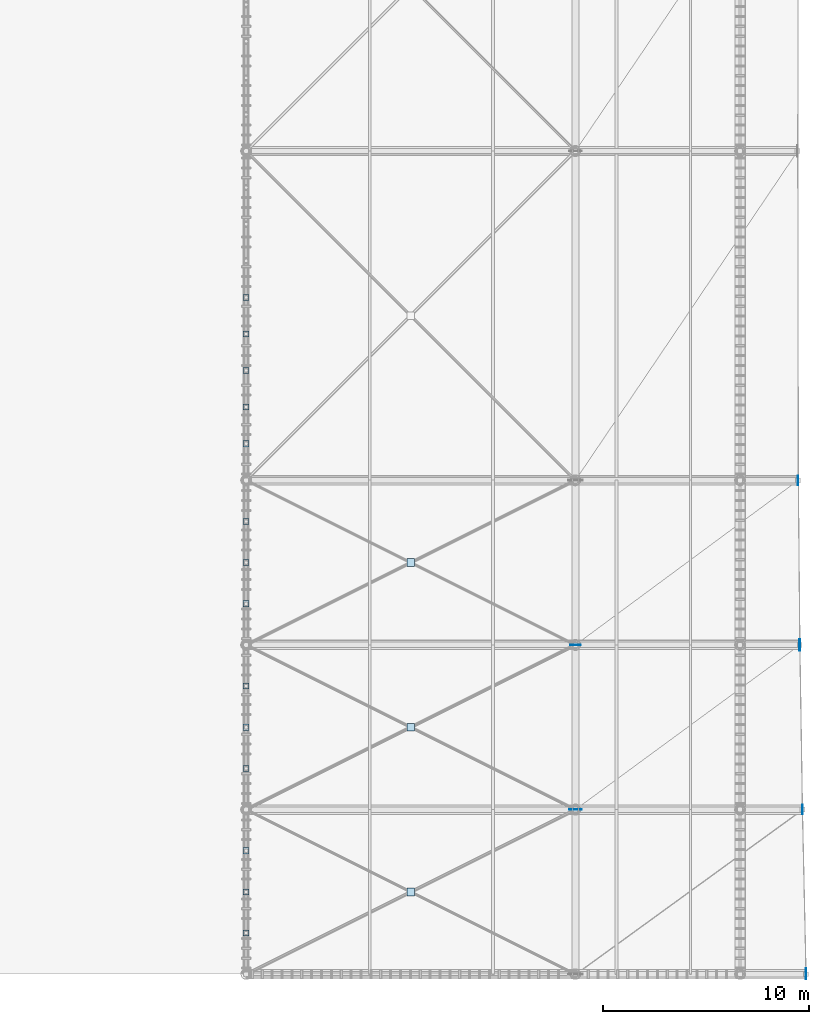
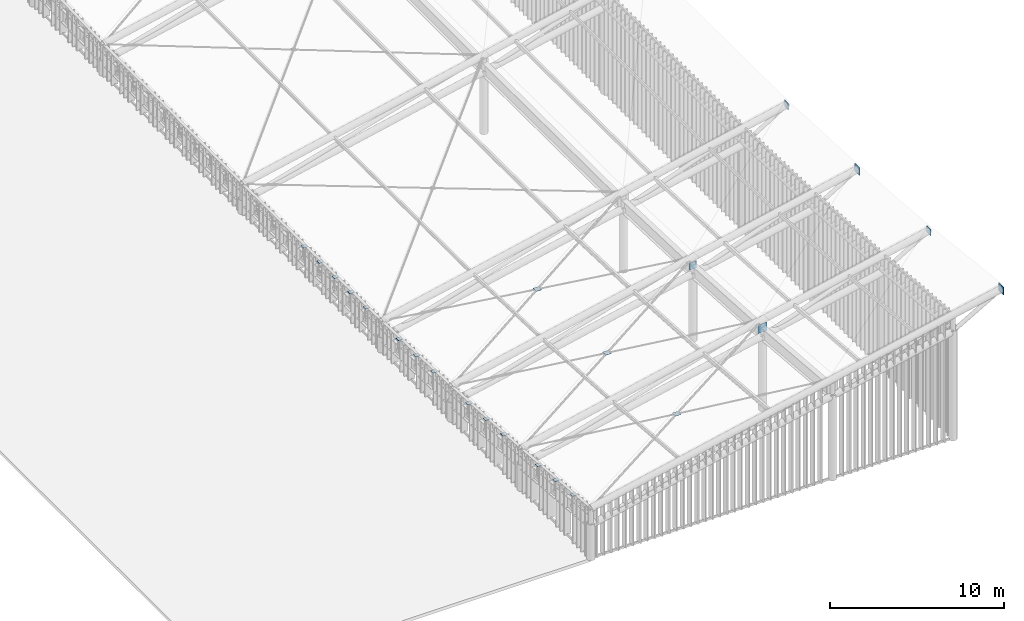
# One storey, part 20 of 25: 23 plates.
"""IFC4 building model written with IfcOpenShell, lengths in metres."""

from ifc_helpers import new_model, si_unit, direction, frame, origin, origin_2d, place, context, subcontext, project, spatial, rectangle, extrude, material, layer, layer_set, type_object, element, save


model = new_model("IFC4")

# Units and contexts
model_context = context("Model", 3, precision=1e-05, world=origin(), true_north=direction((0.0, 1.0)))
body_context = subcontext(model_context, "Body", "Model", "MODEL_VIEW")
ifc_project = project(units=[si_unit("LENGTHUNIT", "METRE"), si_unit("AREAUNIT", "SQUARE_METRE"), si_unit("VOLUMEUNIT", "CUBIC_METRE"), si_unit("PLANEANGLEUNIT", "RADIAN"), si_unit("MASSUNIT", "GRAM", prefix="KILO")], contexts=[model_context])

# Site, building, storey
site_placement = place(None, origin())
site = spatial("IfcSite", under=ifc_project, at=site_placement, CompositionType="ELEMENT")
building_placement = place(site_placement, origin())
building = spatial("IfcBuilding", under=site, at=building_placement, Name="Haebicheon Civic Stadium", CompositionType="ELEMENT")
storey_placement = place(building_placement, frame((0.0, 0.0, 31.199951171875)))
storey = spatial("IfcBuildingStorey", under=building, at=storey_placement, Name="RF", CompositionType="ELEMENT", Elevation=31.199951171875)

# Plates
ifc_material_1 = material(Name="White painted steel SM490", Category="steel")
ifc_layer_1 = layer(ifc_material_1, 0.013916015625, Name="White painted steel SM490")
ifc_layer_set_1 = layer_set([ifc_layer_1], Name="White painted steel SM490")
plate_type_1 = type_object("IfcPlateType", Name="PLT-CAP-14", PredefinedType="SHEET", material=ifc_layer_set_1)
for number, where, z_axis, x_axis, name in (
    (1, (48.0, 50.0, 3.2451171875), (0.0, 0.0, 1.0), (1.0, 0.0, 0.0), "CAN-WEST hanger clevis cap plate 1.1"),
    (2, (48.0, 52.0, 3.0771484375), (0.0, 0.0, 1.0), (1.0, 0.0, 0.0), "CAN-WEST hanger clevis cap plate 1.2"),
    (3, (48.0, 54.0, 2.9091796875), (0.0, 0.0, 1.0), (1.0, 0.0, 0.0), "CAN-WEST hanger clevis cap plate 1.3"),
    (4, (48.0, 58.0, 2.6201171875), (0.0, 0.0, 1.0), (1.0, 0.0, 0.0), "CAN-WEST hanger clevis cap plate 2.1"),
    (5, (48.0, 60.0, 2.5), (0.0, 0.0, 1.0), (1.0, 0.0, 0.0), "CAN-WEST hanger clevis cap plate 2.2"),
    (6, (48.0, 62.0, 2.37890625), (0.0, 0.0, 1.0), (1.0, 0.0, 0.0), "CAN-WEST hanger clevis cap plate 2.3"),
    (7, (48.0, 66.0, 2.18701171875), (0.0, 0.0, 1.0), (1.0, 0.0, 0.0), "CAN-WEST hanger clevis cap plate 3.1"),
    (8, (48.0, 68.0, 2.115234375), (0.0, 0.0, 1.0), (1.0, 0.0, 0.0), "CAN-WEST hanger clevis cap plate 3.2"),
    (9, (48.0, 70.0, 2.0419921875), (0.0, 0.0, 1.0), (1.0, 0.0, 0.0), "CAN-WEST hanger clevis cap plate 3.3"),
    (10, (48.0, 73.778076171875, 1.958984375), (0.0, 0.0, 1.0), (1.0, 0.0, 0.0), "CAN-WEST hanger clevis cap plate 4.1"),
    (11, (48.0, 75.555908203125, 1.94921875), (0.0, 0.0, 1.0), (1.0, 0.0, 0.0), "CAN-WEST hanger clevis cap plate 4.2"),
    (12, (48.0, 77.3330078125, 1.93798828125), (0.0, 0.0, 1.0), (1.0, 0.0, 0.0), "CAN-WEST hanger clevis cap plate 4.3"),
    (13, (48.0, 79.111083984375, 1.92724609375), (0.0, 0.0, 1.0), (1.0, 0.0, 0.0), "CAN-WEST hanger clevis cap plate 4.4"),
    (14, (48.0, 80.888916015625, 1.9169921875), (0.0, 0.0, 1.0), (1.0, 0.0, 0.0), "CAN-WEST hanger clevis cap plate 4.5"),
):
    element("IfcPlate", number, at=place(storey_placement, frame(where, z_axis=z_axis, x_axis=x_axis)), inside=storey, type_object=plate_type_1, material=ifc_layer_set_1, Name=name, PredefinedType="SHEET", context=body_context, shape_type="SweptSolid", body=[
        extrude(rectangle(XDim=0.300048828125, YDim=0.300048828125, at=origin_2d()), origin(), (0.0, 0.0, 1.0), 0.013916015625),
    ])
ifc_material_2 = material(Name="White painted steel SM490", Category="steel")
ifc_layer_2 = layer(ifc_material_2, 0.02001953125, Name="White painted steel SM490")
ifc_layer_set_2 = layer_set([ifc_layer_2], Name="White painted steel SM490")
plate_type_2 = type_object("IfcPlateType", Name="PLT-CAP-20", PredefinedType="SHEET", material=ifc_layer_set_2)
for number, where, z_axis, x_axis, name in (
    (15, (75.02490234375, 56.0, 8.427001953125), (0.0, 0.0, 1.0), (0.0, 1.0, 0.0), "CAN-WEST tip end-cap plate 2"),
    (16, (74.824951171875, 72.0, 7.614013671875), (0.0, 0.0, 1.0), (0.0, 1.0, 0.0), "CAN-WEST tip end-cap plate 4"),
):
    element("IfcPlate", number, at=place(storey_placement, frame(where, z_axis=z_axis, x_axis=x_axis)), inside=storey, type_object=plate_type_2, material=ifc_layer_set_2, Name=name, PredefinedType="SHEET", context=body_context, shape_type="SweptSolid", body=[
        extrude(rectangle(XDim=0.4599609375, YDim=0.02001953125, at=origin_2d()), origin(), (0.0, 0.0, 1.0), 0.4599609375),
    ])
ifc_material_3 = material(Name="White painted steel SM490", Category="steel")
ifc_layer_3 = layer(ifc_material_3, 0.02587890625, Name="White painted steel SM490")
ifc_layer_set_3 = layer_set([ifc_layer_3], Name="White painted steel SM490")
plate_type_3 = type_object("IfcPlateType", Name="PLT-CAP-26", PredefinedType="SHEET", material=ifc_layer_set_3)
for number, where, z_axis, x_axis, name in (
    (17, (75.199951171875, 48.0, 9.089111328125), (0.0, 0.0, 1.0), (0.0, 1.0, 0.0), "CAN-WEST tip end-cap plate 1"),
    (18, (74.89990234375, 64.0, 7.869140625), (0.0, 0.0, 1.0), (0.0, 1.0, 0.0), "CAN-WEST tip end-cap plate 3"),
):
    element("IfcPlate", number, at=place(storey_placement, frame(where, z_axis=z_axis, x_axis=x_axis)), inside=storey, type_object=plate_type_3, material=ifc_layer_set_3, Name=name, PredefinedType="SHEET", context=body_context, shape_type="SweptSolid", body=[
        extrude(rectangle(XDim=0.56005859375, YDim=0.02587890625, at=origin_2d()), origin(), (0.0, 0.0, 1.0), 0.56005859375),
    ])
ifc_material_4 = material(Name="White painted steel SM490", Category="steel")
ifc_layer_4 = layer(ifc_material_4, 0.01806640625, Name="White painted steel SM490")
ifc_layer_set_4 = layer_set([ifc_layer_4], Name="White painted steel SM490")
plate_type_4 = type_object("IfcPlateType", Name="PLT-GUS-18", PredefinedType="USERDEFINED", material=ifc_layer_set_4)
plate_1_placement = place(storey_placement, frame((64.0, 64.0, 4.98095703125), z_axis=(0.0, 0.0, 1.0), x_axis=(1.0, 0.0, 0.0)))
element("IfcPlate", 19, at=plate_1_placement, inside=storey, type_object=plate_type_4, material=ifc_layer_set_4, Name="CAN-WEST heel node gusset plate KN-T03", ObjectType="GUSSET PLATE", PredefinedType="USERDEFINED", context=body_context, shape_type="SweptSolid", body=[
    extrude(rectangle(XDim=0.5, YDim=0.01806640625, at=origin_2d()), origin(), (0.0, 0.0, 1.0), 0.5),
])
ifc_material_5 = material(Name="White painted steel SM490", Category="steel")
ifc_layer_5 = layer(ifc_material_5, 0.02392578125, Name="White painted steel SM490")
ifc_layer_set_5 = layer_set([ifc_layer_5], Name="White painted steel SM490")
plate_type_5 = type_object("IfcPlateType", Name="PLT-GUS-24", PredefinedType="USERDEFINED", material=ifc_layer_set_5)
plate_2_placement = place(storey_placement, frame((64.0, 56.0, 5.412109375), z_axis=(0.0, 0.0, 1.0), x_axis=(1.0, 0.0, 0.0)))
element("IfcPlate", 20, at=plate_2_placement, inside=storey, type_object=plate_type_5, material=ifc_layer_set_5, Name="CAN-WEST heel node gusset plate KN-T02", ObjectType="GUSSET PLATE", PredefinedType="USERDEFINED", context=body_context, shape_type="SweptSolid", body=[
    extrude(rectangle(XDim=0.60009765625, YDim=0.02392578125, at=origin_2d()), origin(), (0.0, 0.0, 1.0), 0.60009765625),
])
ifc_material_6 = material(Name="White painted steel SM490", Category="steel")
ifc_layer_6 = layer(ifc_material_6, 0.013916015625, Name="White painted steel SM490")
ifc_layer_set_6 = layer_set([ifc_layer_6], Name="White painted steel SM490")
plate_type_6 = type_object("IfcPlateType", Name="PLT-XND-14", PredefinedType="SHEET", material=ifc_layer_set_6)
for number, where, z_axis, x_axis, name in (
    (21, (56.0, 52.0, 4.89697265625), (0.0, 0.0, 1.0), (1.0, 0.0, 0.0), "CAN-WEST X-brace crossing gusset plate 1"),
    (22, (56.0, 60.0, 4.31884765625), (0.0, 0.0, 1.0), (1.0, 0.0, 0.0), "CAN-WEST X-brace crossing gusset plate 2"),
    (23, (56.0, 68.0, 3.93505859375), (0.0, 0.0, 1.0), (1.0, 0.0, 0.0), "CAN-WEST X-brace crossing gusset plate 3"),
):
    element("IfcPlate", number, at=place(storey_placement, frame(where, z_axis=z_axis, x_axis=x_axis)), inside=storey, type_object=plate_type_6, material=ifc_layer_set_6, Name=name, PredefinedType="SHEET", context=body_context, shape_type="SweptSolid", body=[
        extrude(rectangle(XDim=0.3798828125, YDim=0.3798828125, at=origin_2d()), origin(), (0.0, 0.0, 1.0), 0.013916015625),
    ])

save(model, "model.ifc")
